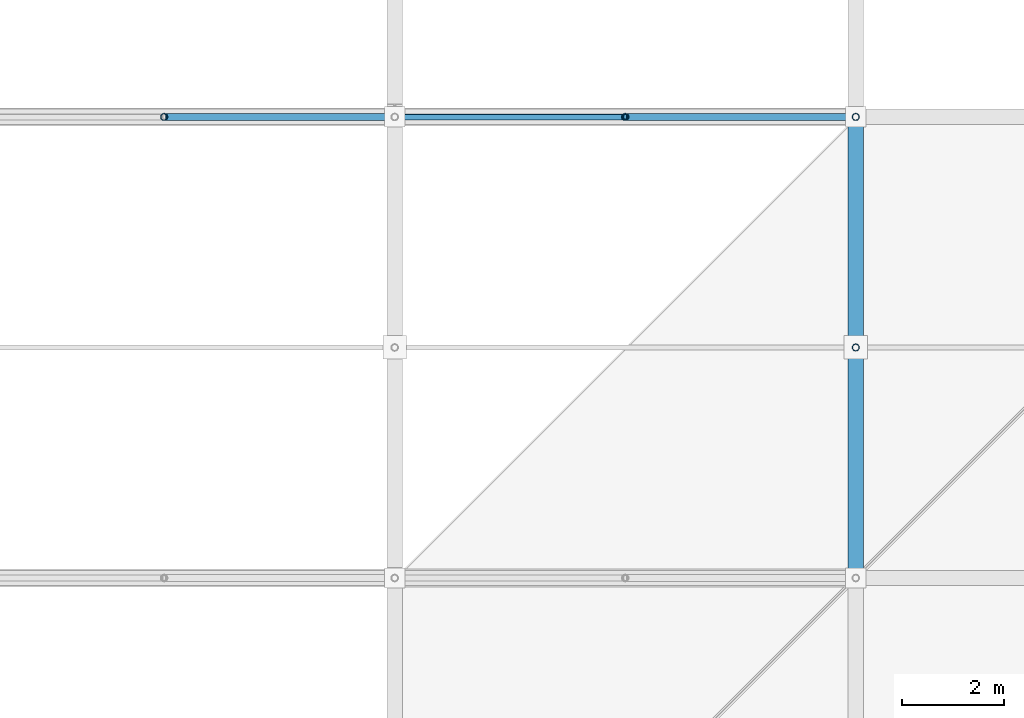
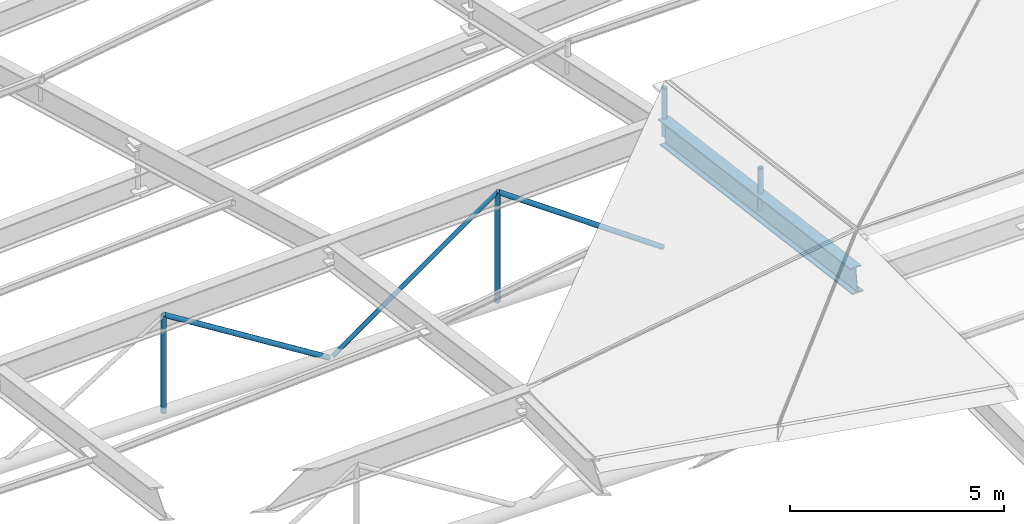
# One storey, part 43 of 80: 7 members, 1 beam.
"""IFC4 building model written with IfcOpenShell, lengths in metres."""

from ifc_helpers import new_model, si_unit, direction, frame, origin, origin_2d, place, context, subcontext, project, spatial, hollow_circle, i_section, extrude, material, material_profile, profile_set, type_object, element, save


model = new_model("IFC4")

# Units and contexts
model_context = context("Model", 3, precision=1e-05, world=origin(), true_north=direction((0.0, 1.0)))
body_context = subcontext(model_context, "Body", "Model", "MODEL_VIEW")
ifc_project = project(units=[si_unit("LENGTHUNIT", "METRE"), si_unit("AREAUNIT", "SQUARE_METRE"), si_unit("VOLUMEUNIT", "CUBIC_METRE"), si_unit("PLANEANGLEUNIT", "RADIAN"), si_unit("MASSUNIT", "GRAM", prefix="KILO")], contexts=[model_context])

# Site, building, storey
site_placement = place(None, origin())
site = spatial("IfcSite", under=ifc_project, at=site_placement, CompositionType="ELEMENT")
building_placement = place(site_placement, origin())
building = spatial("IfcBuilding", under=site, at=building_placement, Name="Barlavento Convention Centre", CompositionType="ELEMENT")
storey_placement = place(building_placement, frame((0.0, 0.0, 29.800048828125)))
storey = spatial("IfcBuildingStorey", under=building, at=storey_placement, Name="RF", CompositionType="ELEMENT", Elevation=29.800048828125)

# Beam
ifc_material_1 = material(Name="Steel S460", Category="steel")
ifc_material_profile_1 = material_profile(ifc_material_1, i_section(OverallWidth=0.300048828125, OverallDepth=0.699951171875, WebThickness=0.01708984375, FlangeThickness=0.031982421875, FilletRadius=0.027099609375, at=origin_2d()), Name="HEB 700")
ifc_profile_set_1 = profile_set([ifc_material_profile_1], Name="Steel S460")
beam_type = type_object("IfcBeamType", Name="STR-BM-TRUSS-TOP-HEB700", PredefinedType="BEAM", material=ifc_profile_set_1)
beam_placement = place(storey_placement, frame((54.0, 27.0048828125, 0.15625), z_axis=(0.0, 0.991413376675, -0.130765119773), x_axis=(-1.0, 0.0, 0.0)))
element("IfcBeam", 1, at=beam_placement, inside=storey, type_object=beam_type, Name="Congress roof truss space frame chord", PredefinedType="BEAM", context=body_context, shape_type="SweptSolid", body=[
    extrude(i_section(OverallWidth=0.300048828125, OverallDepth=0.699951171875, WebThickness=0.01708984375, FlangeThickness=0.031982421875, FilletRadius=0.027099609375, at=origin_2d()), origin(), (0.0, 0.0, 1.0), 9.068115234375),
])

# Members
ifc_material_2 = material(Name="Steel S355", Category="steel")
ifc_material_profile_2 = material_profile(ifc_material_2, hollow_circle(Radius=0.05712890625, WallThickness=0.00634765625, at=origin_2d()), Name="CHS 114.3x6.3")
ifc_profile_set_2 = profile_set([ifc_material_profile_2], Name="Steel S355")
member_type_1 = type_object("IfcMemberType", Name="STR-MEM-DIAG-CHS114", PredefinedType="BRACE", material=ifc_profile_set_2)
member_1_placement = place(storey_placement, frame((45.050048828125, 36.0, -4.342041015625), z_axis=(0.817413803331, 0.0, 0.576050930147), x_axis=(0.0, 1.0, 0.0)))
element("IfcMember", 2, at=member_1_placement, inside=storey, type_object=member_type_1, Name="Plenary hall roof truss web member", PredefinedType="BRACE", context=body_context, shape_type="SweptSolid", body=[
    extrude(hollow_circle(Radius=0.05712890625, WallThickness=0.00634765625, at=origin_2d()), origin(), (0.0, 0.0, 1.0), 5.44384765625),
])
ifc_material_profile_3 = material_profile(ifc_material_2, hollow_circle(Radius=0.06982421875, WallThickness=0.008056640625, at=origin_2d()), Name="CHS 139.7x8.0")
ifc_profile_set_3 = profile_set([ifc_material_profile_3], Name="Steel S355")
member_type_2 = type_object("IfcMemberType", Name="STR-MEM-DIAG-CHS139", PredefinedType="BRACE", material=ifc_profile_set_3)
member_2_placement = place(storey_placement, frame((40.5, 36.0, -4.342041015625), z_axis=(0.0, 0.0, 1.0), x_axis=(1.0, 0.0, 0.0)))
element("IfcMember", 3, at=member_2_placement, inside=storey, type_object=member_type_2, Name="Plenary hall roof truss web member", PredefinedType="BRACE", context=body_context, shape_type="SweptSolid", body=[
    extrude(hollow_circle(Radius=0.06982421875, WallThickness=0.008056640625, at=origin_2d()), origin(), (0.0, 0.0, 1.0), 2.782958984375),
])
member_3_placement = place(storey_placement, frame((40.5, 36.0, -1.55908203125), z_axis=(0.8478493144, 0.0, -0.530237248853), x_axis=(0.0, 1.0, 0.0)))
element("IfcMember", 4, at=member_3_placement, inside=storey, type_object=member_type_2, Name="Plenary hall roof truss web member", PredefinedType="BRACE", context=body_context, shape_type="SweptSolid", body=[
    extrude(hollow_circle(Radius=0.06982421875, WallThickness=0.008056640625, at=origin_2d()), origin(), (0.0, 0.0, 1.0), 5.24853515625),
])
member_4_placement = place(storey_placement, frame((49.5, 36.0, -4.342041015625), z_axis=(0.0, 0.0, 1.0), x_axis=(1.0, 0.0, 0.0)))
element("IfcMember", 5, at=member_4_placement, inside=storey, type_object=member_type_2, Name="Plenary hall roof truss web member", PredefinedType="BRACE", context=body_context, shape_type="SweptSolid", body=[
    extrude(hollow_circle(Radius=0.06982421875, WallThickness=0.008056640625, at=origin_2d()), origin(), (0.0, 0.0, 1.0), 3.135986328125),
])
member_5_placement = place(storey_placement, frame((49.5, 36.0, -1.2060546875), z_axis=(0.817413803331, 0.0, -0.576050930147), x_axis=(0.0, 1.0, 0.0)))
element("IfcMember", 6, at=member_5_placement, inside=storey, type_object=member_type_2, Name="Plenary hall roof truss web member", PredefinedType="BRACE", context=body_context, shape_type="SweptSolid", body=[
    extrude(hollow_circle(Radius=0.06982421875, WallThickness=0.008056640625, at=origin_2d()), origin(), (0.0, 0.0, 1.0), 5.44384765625),
])
member_6_placement = place(storey_placement, frame((54.0, 36.0, -1.179443359375), z_axis=(0.0, 0.0, 1.0), x_axis=(1.0, 0.0, 0.0)))
element("IfcMember", 7, at=member_6_placement, inside=storey, type_object=member_type_2, Name="Congress space frame vertical node post TD04", PredefinedType="BRACE", context=body_context, shape_type="SweptSolid", body=[
    extrude(hollow_circle(Radius=0.06982421875, WallThickness=0.008056640625, at=origin_2d()), origin(), (0.0, 0.0, 1.0), 1.369873046875),
])
member_7_placement = place(storey_placement, frame((54.0, 31.5, -0.556640625), z_axis=(0.0, 0.0, 1.0), x_axis=(1.0, 0.0, 0.0)))
element("IfcMember", 8, at=member_7_placement, inside=storey, type_object=member_type_2, Name="Congress space frame vertical node post TD04", PredefinedType="BRACE", context=body_context, shape_type="SweptSolid", body=[
    extrude(hollow_circle(Radius=0.06982421875, WallThickness=0.008056640625, at=origin_2d()), origin(), (0.0, 0.0, 1.0), 1.199951171875),
])

save(model, "model.ifc")
